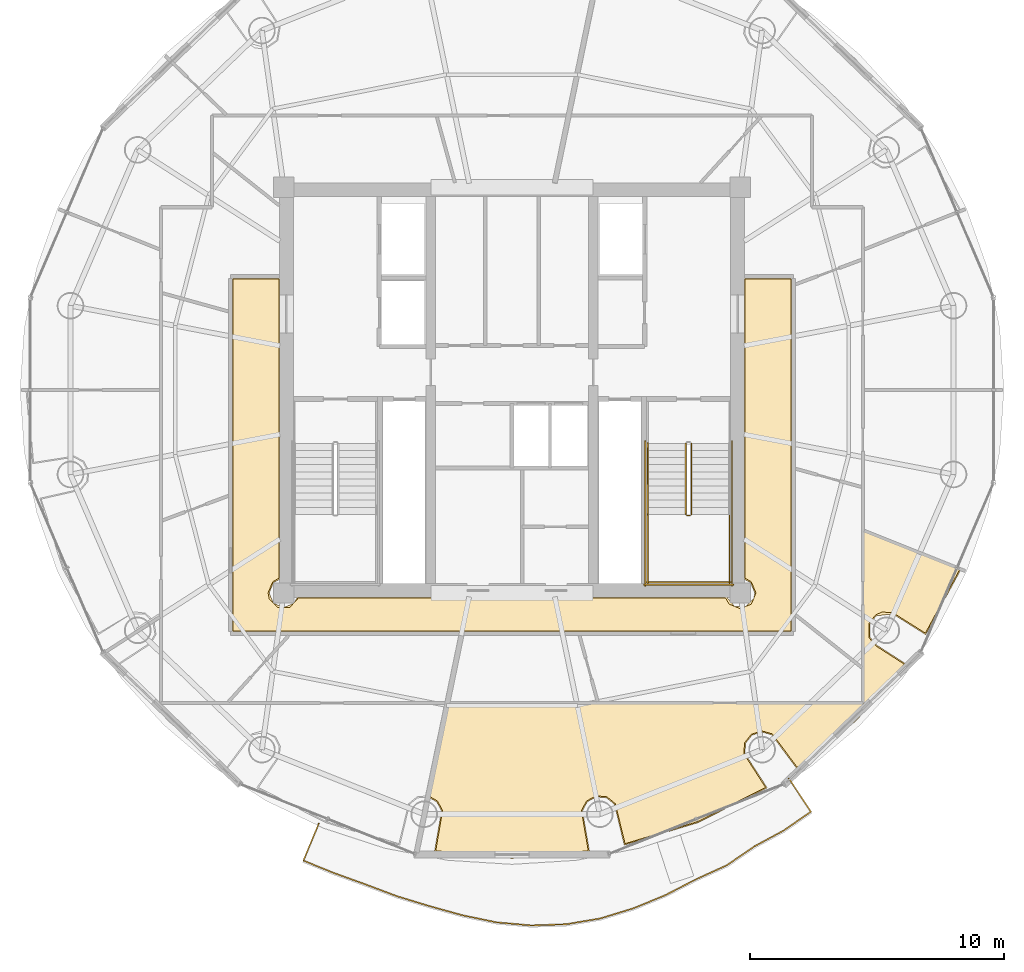
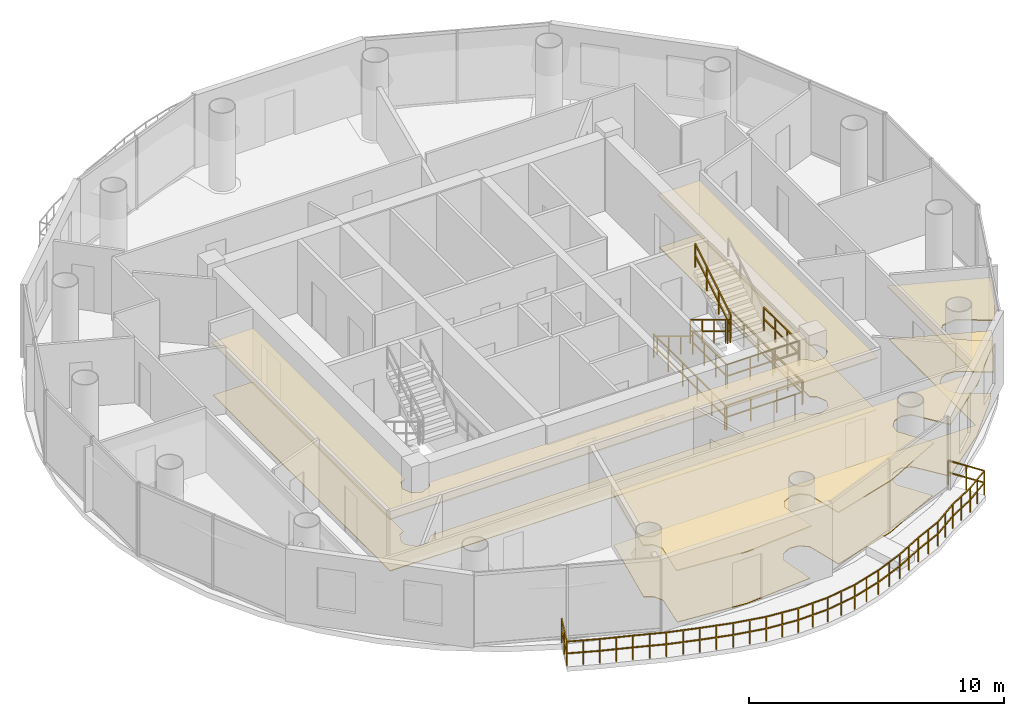
# One storey, part 19 of 21: 11 railings, 4 coverings.
"""IFC4 building model written with IfcOpenShell, lengths in metres."""

from ifc_helpers import new_model, si_unit, direction, frame, origin, origin_2d, place, context, subcontext, project, spatial, polyline, rectangle, outline, extrude, material, layer, layer_set, type_object, element, save


model = new_model("IFC4")

# Units and contexts
model_context = context("Model", 3, precision=1e-05, world=origin(), true_north=direction((-0.2419218956, 0.970295726276)))
body_context = subcontext(model_context, "Body", "Model", "MODEL_VIEW")
ifc_project = project(units=[si_unit("LENGTHUNIT", "METRE"), si_unit("AREAUNIT", "SQUARE_METRE"), si_unit("VOLUMEUNIT", "CUBIC_METRE"), si_unit("PLANEANGLEUNIT", "RADIAN"), si_unit("MASSUNIT", "GRAM", prefix="KILO")], contexts=[model_context])

# Site, building, storey
site_placement = place(None, origin())
site = spatial("IfcSite", under=ifc_project, at=site_placement, CompositionType="ELEMENT")
building_placement = place(site_placement, origin())
building = spatial("IfcBuilding", under=site, at=building_placement, Name="Cobrevalo Terracotta Tower", CompositionType="ELEMENT")
storey_placement = place(building_placement, frame((0.0, 0.0, 281.949951171875)))
storey = spatial("IfcBuildingStorey", under=building, at=storey_placement, Name="L74", CompositionType="ELEMENT", Elevation=281.949951171875)

# Railing
ifc_material_1 = material(Name="Laminated structural glass and stainless steel", Category="steel")
railing_type_1 = type_object("IfcRailingType", Name="Balcony lobe structural glass & terracotta-cap balustrade 1180 mm", PredefinedType="BALUSTRADE", material=ifc_material_1)
railing_1_placement = place(storey_placement, frame((30.3837890625, 9.71435546875, 0.0)))
element("IfcRailing", 1, at=railing_1_placement, inside=storey, type_object=railing_type_1, Name="L74 spiralling balcony lobe balustrade 2", PredefinedType="BALUSTRADE", context=body_context, shape_type="SweptSolid", body=[
    extrude(rectangle(XDim=0.048095703125, YDim=0.048095703125, at=origin_2d()), frame((0.0, 0.0, 1.15576171875), z_axis=(-0.38286781202, -0.923803138401, 0.0), x_axis=(0.923803138401, -0.38286781202, 0.0)), (0.0, 0.0, 1.0), 1.587890625),
    extrude(rectangle(XDim=0.048095703125, YDim=0.048095703125, at=origin_2d()), frame((0.0, 0.0, 0.58984375), z_axis=(-0.38286781202, -0.923803138401, 0.0), x_axis=(0.923803138401, -0.38286781202, 0.0)), (0.0, 0.0, 1.0), 1.587890625),
    extrude(rectangle(XDim=0.048095703125, YDim=0.048095703125, at=origin_2d()), frame((-0.60791015625, -1.466796875, 1.15576171875), z_axis=(0.926232432791, -0.376952888894, 0.0), x_axis=(0.376952888894, 0.926232432791, 0.0)), (0.0, 0.0, 1.0), 1.3076171875),
    extrude(rectangle(XDim=0.048095703125, YDim=0.048095703125, at=origin_2d()), frame((-0.60791015625, -1.466796875, 0.58984375), z_axis=(0.926232432791, -0.376952888894, 0.0), x_axis=(0.376952888894, 0.926232432791, 0.0)), (0.0, 0.0, 1.0), 1.3076171875),
    extrude(rectangle(XDim=0.048095703125, YDim=0.048095703125, at=origin_2d()), frame((0.603271484375, -1.959716796875, 1.15576171875), z_axis=(0.941008163355, -0.33838385969, 0.0), x_axis=(0.33838385969, 0.941008163355, 0.0)), (0.0, 0.0, 1.0), 1.313720703125),
    extrude(rectangle(XDim=0.048095703125, YDim=0.048095703125, at=origin_2d()), frame((0.603271484375, -1.959716796875, 0.58984375), z_axis=(0.941008163355, -0.33838385969, 0.0), x_axis=(0.33838385969, 0.941008163355, 0.0)), (0.0, 0.0, 1.0), 1.313720703125),
    extrude(rectangle(XDim=0.048095703125, YDim=0.048095703125, at=origin_2d()), frame((1.839599609375, -2.404296875, 1.15576171875), z_axis=(0.935814595226, -0.35249261462, 0.0), x_axis=(0.35249261462, 0.935814595226, 0.0)), (0.0, 0.0, 1.0), 1.328369140625),
    extrude(rectangle(XDim=0.048095703125, YDim=0.048095703125, at=origin_2d()), frame((1.839599609375, -2.404296875, 0.58984375), z_axis=(0.935814595226, -0.35249261462, 0.0), x_axis=(0.35249261462, 0.935814595226, 0.0)), (0.0, 0.0, 1.0), 1.328369140625),
    extrude(rectangle(XDim=0.048095703125, YDim=0.048095703125, at=origin_2d()), frame((3.082763671875, -2.87255859375, 1.15576171875), z_axis=(0.956746654712, -0.290922392912, 0.0), x_axis=(0.290922392912, 0.956746654712, 0.0)), (0.0, 0.0, 1.0), 1.340087890625),
    extrude(rectangle(XDim=0.048095703125, YDim=0.048095703125, at=origin_2d()), frame((3.082763671875, -2.87255859375, 0.58984375), z_axis=(0.956746654712, -0.290922392912, 0.0), x_axis=(0.290922392912, 0.956746654712, 0.0)), (0.0, 0.0, 1.0), 1.340087890625),
    extrude(rectangle(XDim=0.048095703125, YDim=0.048095703125, at=origin_2d()), frame((4.364990234375, -3.262451171875, 1.15576171875), z_axis=(0.963620979349, -0.267272535363, 0.0), x_axis=(0.267272535363, 0.963620979349, 0.0)), (0.0, 0.0, 1.0), 1.3564453125),
    extrude(rectangle(XDim=0.048095703125, YDim=0.048095703125, at=origin_2d()), frame((4.364990234375, -3.262451171875, 0.58984375), z_axis=(0.963620979349, -0.267272535363, 0.0), x_axis=(0.267272535363, 0.963620979349, 0.0)), (0.0, 0.0, 1.0), 1.3564453125),
    extrude(rectangle(XDim=0.048095703125, YDim=0.048095703125, at=origin_2d()), frame((5.672119140625, -3.625, 1.15576171875), z_axis=(0.979165256392, -0.203065015879, 0.0), x_axis=(0.203065015879, 0.979165256392, 0.0)), (0.0, 0.0, 1.0), 1.37060546875),
    extrude(rectangle(XDim=0.048095703125, YDim=0.048095703125, at=origin_2d()), frame((5.672119140625, -3.625, 0.58984375), z_axis=(0.979165256392, -0.203065015879, 0.0), x_axis=(0.203065015879, 0.979165256392, 0.0)), (0.0, 0.0, 1.0), 1.37060546875),
    extrude(rectangle(XDim=0.048095703125, YDim=0.048095703125, at=origin_2d()), frame((7.01416015625, -3.9033203125, 1.15576171875), z_axis=(0.996081023519, -0.088445432808, 0.0), x_axis=(0.088445432808, 0.996081023519, 0.0)), (0.0, 0.0, 1.0), 1.369140625),
    extrude(rectangle(XDim=0.048095703125, YDim=0.048095703125, at=origin_2d()), frame((7.01416015625, -3.9033203125, 0.58984375), z_axis=(0.996081023519, -0.088445432808, 0.0), x_axis=(0.088445432808, 0.996081023519, 0.0)), (0.0, 0.0, 1.0), 1.369140625),
    extrude(rectangle(XDim=0.048095703125, YDim=0.048095703125, at=origin_2d()), frame((8.3779296875, -4.0244140625, 1.15576171875), z_axis=(0.999397299366, 0.034713657531, 0.0), x_axis=(-0.034713657531, 0.999397299366, 0.0)), (0.0, 0.0, 1.0), 1.371337890625),
    extrude(rectangle(XDim=0.048095703125, YDim=0.048095703125, at=origin_2d()), frame((8.3779296875, -4.0244140625, 0.58984375), z_axis=(0.999397299366, 0.034713657531, 0.0), x_axis=(-0.034713657531, 0.999397299366, 0.0)), (0.0, 0.0, 1.0), 1.371337890625),
    extrude(rectangle(XDim=0.048095703125, YDim=0.048095703125, at=origin_2d()), frame((9.74853515625, -3.976806640625, 1.15576171875), z_axis=(0.985932081047, 0.167146437478, 0.0), x_axis=(-0.167146437478, 0.985932081047, 0.0)), (0.0, 0.0, 1.0), 1.36865234375),
    extrude(rectangle(XDim=0.048095703125, YDim=0.048095703125, at=origin_2d()), frame((9.74853515625, -3.976806640625, 0.58984375), z_axis=(0.985932081047, 0.167146437478, 0.0), x_axis=(-0.167146437478, 0.985932081047, 0.0)), (0.0, 0.0, 1.0), 1.36865234375),
    extrude(rectangle(XDim=0.048095703125, YDim=0.048095703125, at=origin_2d()), frame((11.097900390625, -3.748046875, 1.15576171875), z_axis=(0.956258921541, 0.292521580356, 0.0), x_axis=(-0.292521580356, 0.956258921541, 0.0)), (0.0, 0.0, 1.0), 1.371337890625),
    extrude(rectangle(XDim=0.048095703125, YDim=0.048095703125, at=origin_2d()), frame((11.097900390625, -3.748046875, 0.58984375), z_axis=(0.956258921541, 0.292521580356, 0.0), x_axis=(-0.292521580356, 0.956258921541, 0.0)), (0.0, 0.0, 1.0), 1.371337890625),
    extrude(rectangle(XDim=0.048095703125, YDim=0.048095703125, at=origin_2d()), frame((12.4091796875, -3.346923828125, 1.15576171875), z_axis=(0.924369923344, 0.381497371967, 0.0), x_axis=(-0.381497371967, 0.924369923344, 0.0)), (0.0, 0.0, 1.0), 1.363037109375),
    extrude(rectangle(XDim=0.048095703125, YDim=0.048095703125, at=origin_2d()), frame((12.4091796875, -3.346923828125, 0.58984375), z_axis=(0.924369923344, 0.381497371967, 0.0), x_axis=(-0.381497371967, 0.924369923344, 0.0)), (0.0, 0.0, 1.0), 1.363037109375),
    extrude(rectangle(XDim=0.048095703125, YDim=0.048095703125, at=origin_2d()), frame((13.669189453125, -2.826904296875, 1.15576171875), z_axis=(0.888149244572, 0.459555132021, 0.0), x_axis=(-0.459555132021, 0.888149244572, 0.0)), (0.0, 0.0, 1.0), 1.356201171875),
    extrude(rectangle(XDim=0.048095703125, YDim=0.048095703125, at=origin_2d()), frame((13.669189453125, -2.826904296875, 0.58984375), z_axis=(0.888149244572, 0.459555132021, 0.0), x_axis=(-0.459555132021, 0.888149244572, 0.0)), (0.0, 0.0, 1.0), 1.356201171875),
    extrude(rectangle(XDim=0.048095703125, YDim=0.048095703125, at=origin_2d()), frame((14.873779296875, -2.20361328125, 1.15576171875), z_axis=(0.910139426594, 0.414302092874, 0.0), x_axis=(-0.414302092874, 0.910139426594, 0.0)), (0.0, 0.0, 1.0), 1.326416015625),
    extrude(rectangle(XDim=0.048095703125, YDim=0.048095703125, at=origin_2d()), frame((14.873779296875, -2.20361328125, 0.58984375), z_axis=(0.910139426594, 0.414302092874, 0.0), x_axis=(-0.414302092874, 0.910139426594, 0.0)), (0.0, 0.0, 1.0), 1.326416015625),
    extrude(rectangle(XDim=0.048095703125, YDim=0.048095703125, at=origin_2d()), frame((16.0810546875, -1.654052734375, 1.15576171875), z_axis=(0.825545149986, 0.564336074813, 0.0), x_axis=(-0.564336074813, 0.825545149986, 0.0)), (0.0, 0.0, 1.0), 1.333740234375),
    extrude(rectangle(XDim=0.048095703125, YDim=0.048095703125, at=origin_2d()), frame((16.0810546875, -1.654052734375, 0.58984375), z_axis=(0.825545149986, 0.564336074813, 0.0), x_axis=(-0.564336074813, 0.825545149986, 0.0)), (0.0, 0.0, 1.0), 1.333740234375),
    extrude(rectangle(XDim=0.048095703125, YDim=0.048095703125, at=origin_2d()), frame((17.18212890625, -0.9013671875, 1.15576171875), z_axis=(0.879676899664, 0.475571816024, 0.0), x_axis=(-0.475571816024, 0.879676899664, 0.0)), (0.0, 0.0, 1.0), 1.304931640625),
    extrude(rectangle(XDim=0.048095703125, YDim=0.048095703125, at=origin_2d()), frame((17.18212890625, -0.9013671875, 0.58984375), z_axis=(0.879676899664, 0.475571816024, 0.0), x_axis=(-0.475571816024, 0.879676899664, 0.0)), (0.0, 0.0, 1.0), 1.304931640625),
    extrude(rectangle(XDim=0.048095703125, YDim=0.048095703125, at=origin_2d()), frame((18.330078125, -0.28076171875, 1.15576171875), z_axis=(0.821794022039, 0.569784683315, 0.0), x_axis=(-0.569784683315, 0.821794022039, 0.0)), (0.0, 0.0, 1.0), 1.302978515625),
    extrude(rectangle(XDim=0.048095703125, YDim=0.048095703125, at=origin_2d()), frame((18.330078125, -0.28076171875, 0.58984375), z_axis=(0.821794022039, 0.569784683315, 0.0), x_axis=(-0.569784683315, 0.821794022039, 0.0)), (0.0, 0.0, 1.0), 1.302978515625),
    extrude(rectangle(XDim=0.048095703125, YDim=0.048095703125, at=origin_2d()), frame((19.40087890625, 0.461669921875, 1.15576171875), z_axis=(-0.552344136042, 0.833616191889, 0.0), x_axis=(-0.833616191889, -0.552344136042, 0.0)), (0.0, 0.0, 1.0), 1.579833984375),
    extrude(rectangle(XDim=0.048095703125, YDim=0.048095703125, at=origin_2d()), frame((19.40087890625, 0.461669921875, 0.58984375), z_axis=(-0.552344136042, 0.833616191889, 0.0), x_axis=(-0.833616191889, -0.552344136042, 0.0)), (0.0, 0.0, 1.0), 1.579833984375),
    extrude(rectangle(XDim=0.0419921875, YDim=0.0419921875, at=origin_2d()), origin(), (0.0, 0.0, 1.0), 1.1318359375),
    extrude(rectangle(XDim=0.0419921875, YDim=0.0419921875, at=origin_2d()), frame((-0.303955078125, -0.7333984375, 0.0)), (0.0, 0.0, 1.0), 1.1318359375),
    extrude(rectangle(XDim=0.0419921875, YDim=0.0419921875, at=origin_2d()), frame((-0.60791015625, -1.466796875, 0.0)), (0.0, 0.0, 1.0), 1.1318359375),
    extrude(rectangle(XDim=0.0419921875, YDim=0.0419921875, at=origin_2d()), frame((-0.00244140625, -1.71337890625, 0.0)), (0.0, 0.0, 1.0), 1.1318359375),
    extrude(rectangle(XDim=0.0419921875, YDim=0.0419921875, at=origin_2d()), frame((0.603271484375, -1.959716796875, 0.0)), (0.0, 0.0, 1.0), 1.1318359375),
    extrude(rectangle(XDim=0.0419921875, YDim=0.0419921875, at=origin_2d()), frame((1.221435546875, -2.18212890625, 0.0)), (0.0, 0.0, 1.0), 1.1318359375),
    extrude(rectangle(XDim=0.0419921875, YDim=0.0419921875, at=origin_2d()), frame((1.839599609375, -2.404296875, 0.0)), (0.0, 0.0, 1.0), 1.1318359375),
    extrude(rectangle(XDim=0.0419921875, YDim=0.0419921875, at=origin_2d()), frame((2.461181640625, -2.638427734375, 0.0)), (0.0, 0.0, 1.0), 1.1318359375),
    extrude(rectangle(XDim=0.0419921875, YDim=0.0419921875, at=origin_2d()), frame((3.082763671875, -2.87255859375, 0.0)), (0.0, 0.0, 1.0), 1.1318359375),
    extrude(rectangle(XDim=0.0419921875, YDim=0.0419921875, at=origin_2d()), frame((3.723876953125, -3.0673828125, 0.0)), (0.0, 0.0, 1.0), 1.1318359375),
    extrude(rectangle(XDim=0.0419921875, YDim=0.0419921875, at=origin_2d()), frame((4.364990234375, -3.262451171875, 0.0)), (0.0, 0.0, 1.0), 1.1318359375),
    extrude(rectangle(XDim=0.0419921875, YDim=0.0419921875, at=origin_2d()), frame((5.0185546875, -3.44384765625, 0.0)), (0.0, 0.0, 1.0), 1.1318359375),
    extrude(rectangle(XDim=0.0419921875, YDim=0.0419921875, at=origin_2d()), frame((5.672119140625, -3.625, 0.0)), (0.0, 0.0, 1.0), 1.1318359375),
    extrude(rectangle(XDim=0.0419921875, YDim=0.0419921875, at=origin_2d()), frame((6.34326171875, -3.76416015625, 0.0)), (0.0, 0.0, 1.0), 1.1318359375),
    extrude(rectangle(XDim=0.0419921875, YDim=0.0419921875, at=origin_2d()), frame((7.01416015625, -3.9033203125, 0.0)), (0.0, 0.0, 1.0), 1.1318359375),
    extrude(rectangle(XDim=0.0419921875, YDim=0.0419921875, at=origin_2d()), frame((7.696044921875, -3.9638671875, 0.0)), (0.0, 0.0, 1.0), 1.1318359375),
    extrude(rectangle(XDim=0.0419921875, YDim=0.0419921875, at=origin_2d()), frame((8.3779296875, -4.0244140625, 0.0)), (0.0, 0.0, 1.0), 1.1318359375),
    extrude(rectangle(XDim=0.0419921875, YDim=0.0419921875, at=origin_2d()), frame((9.063232421875, -4.00048828125, 0.0)), (0.0, 0.0, 1.0), 1.1318359375),
    extrude(rectangle(XDim=0.0419921875, YDim=0.0419921875, at=origin_2d()), frame((9.74853515625, -3.976806640625, 0.0)), (0.0, 0.0, 1.0), 1.1318359375),
    extrude(rectangle(XDim=0.0419921875, YDim=0.0419921875, at=origin_2d()), frame((10.42333984375, -3.8623046875, 0.0)), (0.0, 0.0, 1.0), 1.1318359375),
    extrude(rectangle(XDim=0.0419921875, YDim=0.0419921875, at=origin_2d()), frame((11.097900390625, -3.748046875, 0.0)), (0.0, 0.0, 1.0), 1.1318359375),
    extrude(rectangle(XDim=0.0419921875, YDim=0.0419921875, at=origin_2d()), frame((11.75341796875, -3.54736328125, 0.0)), (0.0, 0.0, 1.0), 1.1318359375),
    extrude(rectangle(XDim=0.0419921875, YDim=0.0419921875, at=origin_2d()), frame((12.4091796875, -3.346923828125, 0.0)), (0.0, 0.0, 1.0), 1.1318359375),
    extrude(rectangle(XDim=0.0419921875, YDim=0.0419921875, at=origin_2d()), frame((13.0390625, -3.0869140625, 0.0)), (0.0, 0.0, 1.0), 1.1318359375),
    extrude(rectangle(XDim=0.0419921875, YDim=0.0419921875, at=origin_2d()), frame((13.669189453125, -2.826904296875, 0.0)), (0.0, 0.0, 1.0), 1.1318359375),
    extrude(rectangle(XDim=0.0419921875, YDim=0.0419921875, at=origin_2d()), frame((14.271484375, -2.51513671875, 0.0)), (0.0, 0.0, 1.0), 1.1318359375),
    extrude(rectangle(XDim=0.0419921875, YDim=0.0419921875, at=origin_2d()), frame((14.873779296875, -2.20361328125, 0.0)), (0.0, 0.0, 1.0), 1.1318359375),
    extrude(rectangle(XDim=0.0419921875, YDim=0.0419921875, at=origin_2d()), frame((15.4775390625, -1.9287109375, 0.0)), (0.0, 0.0, 1.0), 1.1318359375),
    extrude(rectangle(XDim=0.0419921875, YDim=0.0419921875, at=origin_2d()), frame((16.0810546875, -1.654052734375, 0.0)), (0.0, 0.0, 1.0), 1.1318359375),
    extrude(rectangle(XDim=0.0419921875, YDim=0.0419921875, at=origin_2d()), frame((16.631591796875, -1.27783203125, 0.0)), (0.0, 0.0, 1.0), 1.1318359375),
    extrude(rectangle(XDim=0.0419921875, YDim=0.0419921875, at=origin_2d()), frame((17.18212890625, -0.9013671875, 0.0)), (0.0, 0.0, 1.0), 1.1318359375),
    extrude(rectangle(XDim=0.0419921875, YDim=0.0419921875, at=origin_2d()), frame((17.756103515625, -0.591064453125, 0.0)), (0.0, 0.0, 1.0), 1.1318359375),
    extrude(rectangle(XDim=0.0419921875, YDim=0.0419921875, at=origin_2d()), frame((18.330078125, -0.28076171875, 0.0)), (0.0, 0.0, 1.0), 1.1318359375),
    extrude(rectangle(XDim=0.0419921875, YDim=0.0419921875, at=origin_2d()), frame((18.865478515625, 0.09033203125, 0.0)), (0.0, 0.0, 1.0), 1.1318359375),
    extrude(rectangle(XDim=0.0419921875, YDim=0.0419921875, at=origin_2d()), frame((19.40087890625, 0.461669921875, 0.0)), (0.0, 0.0, 1.0), 1.1318359375),
    extrude(rectangle(XDim=0.0419921875, YDim=0.0419921875, at=origin_2d()), frame((18.964599609375, 1.1201171875, 0.0)), (0.0, 0.0, 1.0), 1.1318359375),
    extrude(rectangle(XDim=0.0419921875, YDim=0.0419921875, at=origin_2d()), frame((18.5283203125, 1.778564453125, 0.0)), (0.0, 0.0, 1.0), 1.1318359375),
])

# Coverings
ifc_material_2 = material(Name="Engineered Brazilian hardwood flooring", Category="wood")
ifc_layer_1 = layer(ifc_material_2, 0.028076171875)
ifc_layer_set_1 = layer_set([ifc_layer_1], Name="Engineered Brazilian hardwood flooring")
covering_type_1 = type_object("IfcCoveringType", Name="Engineered Hardwood Suite Flooring 28", PredefinedType="FLOORING", material=ifc_layer_set_1)
covering_1_placement = place(storey_placement, origin())
element("IfcCovering", 2, at=covering_1_placement, inside=storey, type_object=covering_type_1, Name="Flat L74B Penthouse Living and Dining Room floor finish", PredefinedType="FLOORING", context=body_context, shape_type="SweptSolid", body=[
    extrude(outline(polyline([(54.300048828125, 17.217529296875), (53.029052734375, 18.016357421875), (52.600830078125, 18.050537109375), (52.336181640625, 17.935302734375), (52.06982421875, 17.59814453125), (52.080078125, 17.03173828125), (52.358154296875, 16.705322265625), (53.4560546875, 16.00048828125), (53.169189453125, 15.5869140625), (51.52001953125, 13.775390625), (49.243896484375, 11.931884765625), (48.260986328125, 13.246337890625), (47.847412109375, 13.363525390625), (47.438720703125, 13.23095703125), (47.17236328125, 12.893798828125), (47.138427734375, 12.465576171875), (47.99853515625, 11.130126953125), (45.317138671875, 9.7822265625), (42.45947265625, 8.9140625), (42.074951171875, 10.49365234375), (41.74072265625, 10.763671875), (41.312744140625, 10.80224609375), (40.935546875, 10.596923828125), (40.73583984375, 10.21630859375), (41.005859375, 8.635498046875), (38.0, 8.380126953125), (34.994140625, 8.635498046875), (35.26416015625, 10.21630859375), (35.064453125, 10.596923828125), (34.71728515625, 10.79296875), (35.470947265625, 14.445068359375), (51.85498046875, 14.445068359375), (51.85498046875, 21.24658203125), (55.65380859375, 19.72998046875), (54.300048828125, 17.217529296875)])), origin(), (0.0, 0.0, 1.0), 0.030029296875),
])
ifc_material_3 = material(Name="Honed terracotta and granite tile", Category="masonry")
ifc_layer_2 = layer(ifc_material_3, 0.034912109375)
ifc_layer_set_2 = layer_set([ifc_layer_2], Name="Honed terracotta and granite tile")
covering_type_2 = type_object("IfcCoveringType", Name="Honed Terracotta & Granite Interior Flooring 35", PredefinedType="FLOORING", material=ifc_layer_set_2)
covering_2_placement = place(storey_placement, origin())
element("IfcCovering", 3, at=covering_2_placement, inside=storey, type_object=covering_type_2, Name="L74 Residential Floor Corridor floor finish", PredefinedType="FLOORING", context=body_context, shape_type="SweptSolid", body=[
    extrude(outline(polyline([(26.9951171875, 31.179931640625), (28.804931640625, 31.179931640625), (28.804931640625, 19.381591796875), (28.561279296875, 19.23876953125), (28.379638671875, 18.800048828125), (28.4267578125, 18.5625), (28.7626953125, 18.226806640625), (29.2373046875, 18.226806640625), (29.58154296875, 18.60498046875), (46.41845703125, 18.60498046875), (46.561279296875, 18.361328125), (47.0, 18.1796875), (47.438720703125, 18.361328125), (47.620361328125, 18.800048828125), (47.438720703125, 19.23876953125), (47.195068359375, 19.381591796875), (47.195068359375, 31.179931640625), (49.0048828125, 31.179931640625), (49.0048828125, 17.294921875), (26.9951171875, 17.294921875), (26.9951171875, 31.179931640625)])), origin(), (0.0, 0.0, 1.0), 0.030029296875),
])
ifc_material_4 = material(Name="Acoustic perforated gypsum ceiling", Category="gypsum")
ifc_layer_3 = layer(ifc_material_4, 0.050048828125)
ifc_layer_set_3 = layer_set([ifc_layer_3], Name="Acoustic perforated gypsum ceiling")
covering_type_3 = type_object("IfcCoveringType", Name="Perforated Acoustic Gypsum Ceiling 50", PredefinedType="CEILING", material=ifc_layer_set_3)
covering_3_placement = place(storey_placement, frame((0.0, 0.0, 2.5)))
element("IfcCovering", 4, at=covering_3_placement, inside=storey, type_object=covering_type_3, Name="L74 Residential Floor Corridor acoustic ceiling", PredefinedType="CEILING", context=body_context, shape_type="SweptSolid", body=[
    extrude(outline(polyline([(26.949951171875, 31.22509765625), (28.85009765625, 31.22509765625), (28.85009765625, 19.3447265625), (28.59375, 19.206298828125), (28.425537109375, 18.800048828125), (28.59375, 18.393798828125), (29.0, 18.2255859375), (29.40625, 18.393798828125), (29.544677734375, 18.64990234375), (46.455322265625, 18.64990234375), (46.780029296875, 18.269287109375), (47.219970703125, 18.269287109375), (47.53076171875, 18.580078125), (47.574462890625, 18.800048828125), (47.40625, 19.206298828125), (47.14990234375, 19.3447265625), (47.14990234375, 31.22509765625), (49.050048828125, 31.22509765625), (49.050048828125, 17.25), (26.949951171875, 17.25), (26.949951171875, 31.22509765625)])), origin(), (0.0, 0.0, 1.0), 0.050048828125),
])
covering_4_placement = place(storey_placement, frame((0.0, 0.0, 2.5)))
element("IfcCovering", 5, at=covering_4_placement, inside=storey, type_object=covering_type_3, Name="Flat L74B Penthouse Living and Dining Room acoustic ceiling", PredefinedType="CEILING", context=body_context, shape_type="SweptSolid", body=[
    extrude(outline(polyline([(54.312255859375, 17.15625), (53.0126953125, 17.974365234375), (52.362060546875, 17.898193359375), (52.11181640625, 17.58154296875), (52.12158203125, 17.0498046875), (52.38427734375, 16.741943359375), (53.51953125, 16.01318359375), (53.204345703125, 15.558837890625), (51.551513671875, 13.742919921875), (49.231689453125, 11.87060546875), (48.236572265625, 13.208251953125), (47.848388671875, 13.318115234375), (47.464599609375, 13.19384765625), (47.214599609375, 12.877197265625), (47.1826171875, 12.47509765625), (48.062255859375, 11.11767578125), (45.333740234375, 9.740478515625), (42.424560546875, 8.861328125), (42.03759765625, 10.46826171875), (41.7236328125, 10.7216796875), (41.322021484375, 10.758056640625), (40.9677734375, 10.565185546875), (40.7802734375, 10.207763671875), (41.05908203125, 8.599853515625), (38.0, 8.3349609375), (34.94091796875, 8.599853515625), (35.2197265625, 10.207763671875), (35.0322265625, 10.565185546875), (34.6650390625, 10.76220703125), (35.43408203125, 14.489990234375), (51.81005859375, 14.489990234375), (51.81005859375, 21.31298828125), (55.71630859375, 19.75341796875), (54.312255859375, 17.15625)])), origin(), (0.0, 0.0, 1.0), 0.050048828125),
])

# Railings
ifc_material_5 = material(Name="Brushed stainless steel", Category="steel")
railing_type_2 = type_object("IfcRailingType", Name="Stainless Steel Stair Handrail 900", PredefinedType="HANDRAIL", material=ifc_material_5)
railing_2_placement = place(storey_placement, frame((43.35498046875, 24.699951171875, 0.17041015625)))
element("IfcRailing", 6, at=railing_2_placement, inside=storey, type_object=railing_type_2, Name="L74 ST-2 stair handrail 1", PredefinedType="HANDRAIL", context=body_context, shape_type="SweptSolid", body=[
    extrude(rectangle(XDim=0.048095703125, YDim=0.048095703125, at=origin_2d()), frame((0.0, 0.0, 0.8759765625), z_axis=(0.0, -0.854169791009, 0.51999420009), x_axis=(1.0, 0.0, 0.0)), (0.0, 0.0, 1.0), 3.278076171875),
    extrude(rectangle(XDim=0.0419921875, YDim=0.0419921875, at=origin_2d()), origin(), (0.0, 0.0, 1.0), 0.851806640625),
    extrude(rectangle(XDim=0.0419921875, YDim=0.0419921875, at=origin_2d()), frame((0.0, -0.933349609375, 0.568115234375)), (0.0, 0.0, 1.0), 0.851806640625),
    extrude(rectangle(XDim=0.0419921875, YDim=0.0419921875, at=origin_2d()), frame((0.0, -1.86669921875, 1.136474609375)), (0.0, 0.0, 1.0), 0.851806640625),
    extrude(rectangle(XDim=0.0419921875, YDim=0.0419921875, at=origin_2d()), frame((0.0, -2.800048828125, 1.70458984375)), (0.0, 0.0, 1.0), 0.851806640625),
])
ifc_material_6 = material(Name="Painted galvanized steel", Category="steel")
railing_type_3 = type_object("IfcRailingType", Name="Stair Well Guard Balustrade 1150", PredefinedType="GUARDRAIL", material=ifc_material_6)
railing_3_placement = place(storey_placement, frame((44.85498046875, 24.699951171875, 0.17041015625)))
element("IfcRailing", 7, at=railing_3_placement, inside=storey, type_object=railing_type_3, Name="L74 ST-2 stair guard 1", PredefinedType="GUARDRAIL", context=body_context, shape_type="SweptSolid", body=[
    extrude(rectangle(XDim=0.048095703125, YDim=0.048095703125, at=origin_2d()), frame((0.0, 0.0, 1.1259765625), z_axis=(0.0, -0.854169791009, 0.51999420009), x_axis=(1.0, 0.0, 0.0)), (0.0, 0.0, 1.0), 3.278076171875),
    extrude(rectangle(XDim=0.048095703125, YDim=0.048095703125, at=origin_2d()), frame((0.0, 0.0, 0.574951171875), z_axis=(0.0, -0.854169791009, 0.51999420009), x_axis=(1.0, 0.0, 0.0)), (0.0, 0.0, 1.0), 3.278076171875),
    extrude(rectangle(XDim=0.0419921875, YDim=0.0419921875, at=origin_2d()), origin(), (0.0, 0.0, 1.0), 1.101806640625),
    extrude(rectangle(XDim=0.0419921875, YDim=0.0419921875, at=origin_2d()), frame((0.0, -0.933349609375, 0.568115234375)), (0.0, 0.0, 1.0), 1.101806640625),
    extrude(rectangle(XDim=0.0419921875, YDim=0.0419921875, at=origin_2d()), frame((0.0, -1.86669921875, 1.136474609375)), (0.0, 0.0, 1.0), 1.101806640625),
    extrude(rectangle(XDim=0.0419921875, YDim=0.0419921875, at=origin_2d()), frame((0.0, -2.800048828125, 1.70458984375)), (0.0, 0.0, 1.0), 1.101806640625),
])
railing_4_placement = place(storey_placement, frame((44.905029296875, 21.85009765625, 1.875)))
element("IfcRailing", 8, at=railing_4_placement, inside=storey, type_object=railing_type_3, Name="L74 ST-2 stair guard 2", PredefinedType="GUARDRAIL", context=body_context, shape_type="SweptSolid", body=[
    extrude(rectangle(XDim=0.048095703125, YDim=0.048095703125, at=origin_2d()), frame((0.0, 0.0, 1.1259765625), z_axis=(1.0, 0.0, 0.0), x_axis=(0.0, 1.0, 0.0)), (0.0, 0.0, 1.0), 0.119873046875),
    extrude(rectangle(XDim=0.048095703125, YDim=0.048095703125, at=origin_2d()), frame((0.0, 0.0, 0.574951171875), z_axis=(1.0, 0.0, 0.0), x_axis=(0.0, 1.0, 0.0)), (0.0, 0.0, 1.0), 0.119873046875),
    extrude(rectangle(XDim=0.0419921875, YDim=0.0419921875, at=origin_2d()), origin(), (0.0, 0.0, 1.0), 1.101806640625),
    extrude(rectangle(XDim=0.0419921875, YDim=0.0419921875, at=origin_2d()), frame((0.119873046875, 0.0, 0.0)), (0.0, 0.0, 1.0), 1.101806640625),
])
for number, where, name in (
    (9, (43.35498046875, 21.89990234375, 1.875), "L74 ST-2 stair guard 3"),
    (10, (46.574951171875, 21.89990234375, 1.875), "L74 ST-2 stair guard 4"),
):
    element("IfcRailing", number, at=place(storey_placement, frame(where)), inside=storey, type_object=railing_type_3, Name=name, PredefinedType="GUARDRAIL", context=body_context, shape_type="SweptSolid", body=[
        extrude(rectangle(XDim=0.048095703125, YDim=0.048095703125, at=origin_2d()), frame((0.0, 0.0, 1.1259765625), z_axis=(0.0, -1.0, 0.0), x_axis=(1.0, 0.0, 0.0)), (0.0, 0.0, 1.0), 2.724853515625),
        extrude(rectangle(XDim=0.048095703125, YDim=0.048095703125, at=origin_2d()), frame((0.0, 0.0, 0.574951171875), z_axis=(0.0, -1.0, 0.0), x_axis=(1.0, 0.0, 0.0)), (0.0, 0.0, 1.0), 2.724853515625),
        extrude(rectangle(XDim=0.0419921875, YDim=0.0419921875, at=origin_2d()), origin(), (0.0, 0.0, 1.0), 1.101806640625),
        extrude(rectangle(XDim=0.0419921875, YDim=0.0419921875, at=origin_2d()), frame((0.0, -0.908203125, 0.0)), (0.0, 0.0, 1.0), 1.101806640625),
        extrude(rectangle(XDim=0.0419921875, YDim=0.0419921875, at=origin_2d()), frame((0.0, -1.816650390625, 0.0)), (0.0, 0.0, 1.0), 1.101806640625),
        extrude(rectangle(XDim=0.0419921875, YDim=0.0419921875, at=origin_2d()), frame((0.0, -2.724853515625, 0.0)), (0.0, 0.0, 1.0), 1.101806640625),
    ])
railing_5_placement = place(storey_placement, frame((43.304931640625, 19.22509765625, 1.875)))
element("IfcRailing", 11, at=railing_5_placement, inside=storey, type_object=railing_type_3, Name="L74 ST-2 stair guard 5", PredefinedType="GUARDRAIL", context=body_context, shape_type="SweptSolid", body=[
    extrude(rectangle(XDim=0.048095703125, YDim=0.048095703125, at=origin_2d()), frame((0.0, 0.0, 1.1259765625), z_axis=(1.0, 0.0, 0.0), x_axis=(0.0, 1.0, 0.0)), (0.0, 0.0, 1.0), 3.320068359375),
    extrude(rectangle(XDim=0.048095703125, YDim=0.048095703125, at=origin_2d()), frame((0.0, 0.0, 0.574951171875), z_axis=(1.0, 0.0, 0.0), x_axis=(0.0, 1.0, 0.0)), (0.0, 0.0, 1.0), 3.320068359375),
    extrude(rectangle(XDim=0.0419921875, YDim=0.0419921875, at=origin_2d()), origin(), (0.0, 0.0, 1.0), 1.101806640625),
    extrude(rectangle(XDim=0.0419921875, YDim=0.0419921875, at=origin_2d()), frame((1.106689453125, 0.0, 0.0)), (0.0, 0.0, 1.0), 1.101806640625),
    extrude(rectangle(XDim=0.0419921875, YDim=0.0419921875, at=origin_2d()), frame((2.21337890625, 0.0, 0.0)), (0.0, 0.0, 1.0), 1.101806640625),
    extrude(rectangle(XDim=0.0419921875, YDim=0.0419921875, at=origin_2d()), frame((3.320068359375, 0.0, 0.0)), (0.0, 0.0, 1.0), 1.101806640625),
])
railing_6_placement = place(storey_placement, frame((45.074951171875, 21.89990234375, 2.04541015625)))
element("IfcRailing", 12, at=railing_6_placement, inside=storey, type_object=railing_type_3, Name="L74 ST-2 stair guard 6", PredefinedType="GUARDRAIL", context=body_context, shape_type="SweptSolid", body=[
    extrude(rectangle(XDim=0.048095703125, YDim=0.048095703125, at=origin_2d()), frame((0.0, 0.0, 1.1259765625), z_axis=(0.0, 0.854169791009, 0.51999420009), x_axis=(-1.0, 0.0, 0.0)), (0.0, 0.0, 1.0), 3.278076171875),
    extrude(rectangle(XDim=0.048095703125, YDim=0.048095703125, at=origin_2d()), frame((0.0, 0.0, 0.574951171875), z_axis=(0.0, 0.854169791009, 0.51999420009), x_axis=(-1.0, 0.0, 0.0)), (0.0, 0.0, 1.0), 3.278076171875),
    extrude(rectangle(XDim=0.0419921875, YDim=0.0419921875, at=origin_2d()), origin(), (0.0, 0.0, 1.0), 1.101806640625),
    extrude(rectangle(XDim=0.0419921875, YDim=0.0419921875, at=origin_2d()), frame((0.0, 0.933349609375, 0.568115234375)), (0.0, 0.0, 1.0), 1.101806640625),
    extrude(rectangle(XDim=0.0419921875, YDim=0.0419921875, at=origin_2d()), frame((0.0, 1.86669921875, 1.136474609375)), (0.0, 0.0, 1.0), 1.101806640625),
    extrude(rectangle(XDim=0.0419921875, YDim=0.0419921875, at=origin_2d()), frame((0.0, 2.800048828125, 1.70458984375)), (0.0, 0.0, 1.0), 1.101806640625),
])
for number, where, name in (
    (13, (43.2548828125, 24.800048828125, 0.0), "L74 ST-2 stair guard 10"),
    (14, (46.675048828125, 24.800048828125, 0.0), "L74 ST-2 stair guard 11"),
):
    element("IfcRailing", number, at=place(storey_placement, frame(where)), inside=storey, type_object=railing_type_3, Name=name, PredefinedType="GUARDRAIL", context=body_context, shape_type="SweptSolid", body=[
        extrude(rectangle(XDim=0.048095703125, YDim=0.048095703125, at=origin_2d()), frame((0.0, 0.0, 1.1259765625), z_axis=(0.0, -1.0, 0.0), x_axis=(1.0, 0.0, 0.0)), (0.0, 0.0, 1.0), 5.72509765625),
        extrude(rectangle(XDim=0.048095703125, YDim=0.048095703125, at=origin_2d()), frame((0.0, 0.0, 0.574951171875), z_axis=(0.0, -1.0, 0.0), x_axis=(1.0, 0.0, 0.0)), (0.0, 0.0, 1.0), 5.72509765625),
        extrude(rectangle(XDim=0.0419921875, YDim=0.0419921875, at=origin_2d()), origin(), (0.0, 0.0, 1.0), 1.101806640625),
        extrude(rectangle(XDim=0.0419921875, YDim=0.0419921875, at=origin_2d()), frame((0.0, -1.14501953125, 0.0)), (0.0, 0.0, 1.0), 1.101806640625),
        extrude(rectangle(XDim=0.0419921875, YDim=0.0419921875, at=origin_2d()), frame((0.0, -2.2900390625, 0.0)), (0.0, 0.0, 1.0), 1.101806640625),
        extrude(rectangle(XDim=0.0419921875, YDim=0.0419921875, at=origin_2d()), frame((0.0, -3.43505859375, 0.0)), (0.0, 0.0, 1.0), 1.101806640625),
        extrude(rectangle(XDim=0.0419921875, YDim=0.0419921875, at=origin_2d()), frame((0.0, -4.580078125, 0.0)), (0.0, 0.0, 1.0), 1.101806640625),
        extrude(rectangle(XDim=0.0419921875, YDim=0.0419921875, at=origin_2d()), frame((0.0, -5.72509765625, 0.0)), (0.0, 0.0, 1.0), 1.101806640625),
    ])
railing_7_placement = place(storey_placement, frame((43.205078125, 19.125, 0.0)))
element("IfcRailing", 15, at=railing_7_placement, inside=storey, type_object=railing_type_3, Name="L74 ST-2 stair guard 12", PredefinedType="GUARDRAIL", context=body_context, shape_type="SweptSolid", body=[
    extrude(rectangle(XDim=0.048095703125, YDim=0.048095703125, at=origin_2d()), frame((0.0, 0.0, 1.1259765625), z_axis=(1.0, 0.0, 0.0), x_axis=(0.0, 1.0, 0.0)), (0.0, 0.0, 1.0), 3.52001953125),
    extrude(rectangle(XDim=0.048095703125, YDim=0.048095703125, at=origin_2d()), frame((0.0, 0.0, 0.574951171875), z_axis=(1.0, 0.0, 0.0), x_axis=(0.0, 1.0, 0.0)), (0.0, 0.0, 1.0), 3.52001953125),
    extrude(rectangle(XDim=0.0419921875, YDim=0.0419921875, at=origin_2d()), origin(), (0.0, 0.0, 1.0), 1.101806640625),
    extrude(rectangle(XDim=0.0419921875, YDim=0.0419921875, at=origin_2d()), frame((1.17333984375, 0.0, 0.0)), (0.0, 0.0, 1.0), 1.101806640625),
    extrude(rectangle(XDim=0.0419921875, YDim=0.0419921875, at=origin_2d()), frame((2.3466796875, 0.0, 0.0)), (0.0, 0.0, 1.0), 1.101806640625),
    extrude(rectangle(XDim=0.0419921875, YDim=0.0419921875, at=origin_2d()), frame((3.52001953125, 0.0, 0.0)), (0.0, 0.0, 1.0), 1.101806640625),
])

save(model, "model.ifc")
